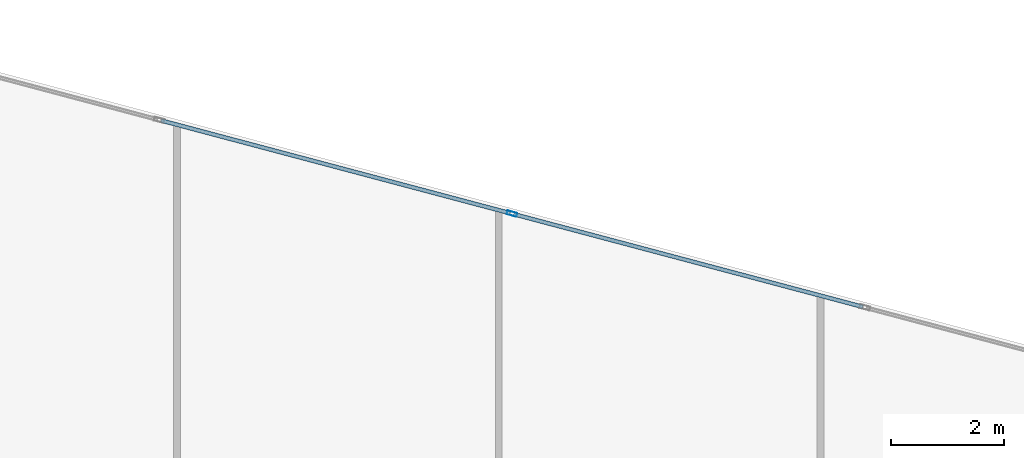
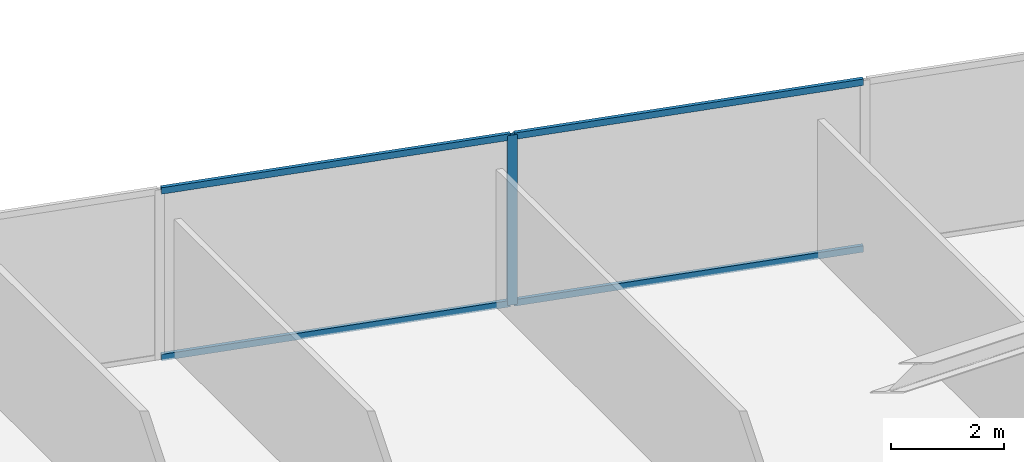
# One storey, part 18 of 27: 5 members, 1 element without a shape of its own.
"""IFC4 building model written with IfcOpenShell, lengths in metres."""

from ifc_helpers import new_model, si_unit, direction, frame, origin, origin_2d, place, context, subcontext, project, spatial, hollow_rectangle, extrude, source, transform, mapped, material, material_profile, profile_set, type_object, type_shapes, element, aggregate, save


model = new_model("IFC4")

# Units and contexts
model_context = context("Model", 3, precision=1e-05, world=origin(), true_north=direction((0.0, 1.0)))
body_context = subcontext(model_context, "Body", "Model", "MODEL_VIEW")
ifc_project = project(units=[si_unit("LENGTHUNIT", "METRE"), si_unit("AREAUNIT", "SQUARE_METRE"), si_unit("VOLUMEUNIT", "CUBIC_METRE"), si_unit("PLANEANGLEUNIT", "RADIAN"), si_unit("MASSUNIT", "GRAM", prefix="KILO")], contexts=[model_context])

# Site, building, storey
site_placement = place(None, origin())
site = spatial("IfcSite", under=ifc_project, at=site_placement, CompositionType="ELEMENT")
building_placement = place(site_placement, origin())
building = spatial("IfcBuilding", under=site, at=building_placement, Name="Krantzveldt Concourse Tower", CompositionType="ELEMENT")
storey_placement = place(building_placement, frame((0.0, 0.0, 105.85009765625)))
storey = spatial("IfcBuildingStorey", under=building, at=storey_placement, Name="L25", CompositionType="ELEMENT", Elevation=105.85009765625)

# Curtain wall, members
ifc_material = material(Name="Anodised aluminium 6063-T6", Category="aluminium")
curtain_wall_type = type_object("IfcCurtainWallType", Name="CW2", PredefinedType="USERDEFINED", material=ifc_material)
curtain_wall_placement = place(storey_placement, origin())
curtain_wall = element("IfcCurtainWall", 1, at=curtain_wall_placement, inside=storey, type_object=curtain_wall_type, Name="CW-L25-F14", ObjectType="UNITISED CURTAIN WALL", PredefinedType="USERDEFINED")
ifc_material_profile_1 = material_profile(ifc_material, hollow_rectangle(XDim=0.070068359375, YDim=0.179931640625, WallThickness=0.0048828125, at=origin_2d()), Name="Anodised aluminium 6063-T6", Category="aluminium")
ifc_profile_set_1 = profile_set([ifc_material_profile_1], Name="Anodised aluminium 6063-T6 - ALU-MULL 180x70x5")
member_type_1 = type_object("IfcMemberType", Name="CW-MUL-180", PredefinedType="MULLION", material=ifc_profile_set_1)
shared_shape_1 = source(origin(), body_context, "Body", "SweptSolid", [
    extrude(hollow_rectangle(XDim=0.070068359375, YDim=0.179931640625, WallThickness=0.0048828125, at=origin_2d()), origin(), (0.0, 0.0, 1.0), 3.669921875),
])
type_shapes(member_type_1, [shared_shape_1])
member_1_placement = place(storey_placement, frame((35.73388671875, 50.888916015625, 0.0), z_axis=(0.0, 0.0, 1.0), x_axis=(-0.256711093648, -0.966488186373, 0.0)))
member_1 = element("IfcMember", 2, at=member_1_placement, type_object=member_type_1, Name="CW-Z12 mullion 5", PredefinedType="MULLION", context=body_context, shape_type="MappedRepresentation", body=[
    mapped(shared_shape_1, transform((0.0, 0.0, 0.0), x_axis=(1.0, 0.0, 0.0), y_axis=(0.0, 1.0, 0.0), z_axis=(0.0, 0.0, 1.0), scale=1.0)),
])
ifc_material_profile_2 = material_profile(ifc_material, hollow_rectangle(XDim=0.070068359375, YDim=0.139892578125, WallThickness=0.0048828125, at=origin_2d()), Name="Anodised aluminium 6063-T6", Category="aluminium")
ifc_profile_set_2 = profile_set([ifc_material_profile_2], Name="Anodised aluminium 6063-T6 - ALU-TRAN 140x70x5")
member_type_2 = type_object("IfcMemberType", Name="CW-TRN-150", PredefinedType="USERDEFINED", material=ifc_profile_set_2)
shared_shape_2 = source(origin(), body_context, "Body", "SweptSolid", [
    extrude(hollow_rectangle(XDim=0.070068359375, YDim=0.139892578125, WallThickness=0.0048828125, at=origin_2d()), origin(), (0.0, 0.0, 1.0), 6.396728515625),
])
type_shapes(member_type_2, [shared_shape_2])
member_2_placement = place(storey_placement, frame((41.9501953125, 49.23779296875, 0.034912109375), z_axis=(-0.966489121884, 0.256707571528, 0.0), x_axis=(-0.256707571528, -0.966489121884, 0.0)))
member_2 = element("IfcMember", 3, at=member_2_placement, type_object=member_type_2, Name="CW-Z12 transom 4.1", ObjectType="TRANSOM", PredefinedType="USERDEFINED", context=body_context, shape_type="MappedRepresentation", body=[
    mapped(shared_shape_2, transform((0.0, 0.0, 0.0), x_axis=(1.0, 0.0, 0.0), y_axis=(0.0, 1.0, 0.0), z_axis=(0.0, 0.0, 1.0), scale=1.0)),
])
member_3_placement = place(storey_placement, frame((41.9501953125, 49.23779296875, 3.635009765625), z_axis=(-0.966489121884, 0.256707571528, 0.0), x_axis=(-0.256707571528, -0.966489121884, 0.0)))
member_3 = element("IfcMember", 4, at=member_3_placement, type_object=member_type_2, Name="CW-Z12 transom 4.2", ObjectType="TRANSOM", PredefinedType="USERDEFINED", context=body_context, shape_type="MappedRepresentation", body=[
    mapped(shared_shape_2, transform((0.0, 0.0, 0.0), x_axis=(1.0, 0.0, 0.0), y_axis=(0.0, 1.0, 0.0), z_axis=(0.0, 0.0, 1.0), scale=1.0)),
])
member_4_placement = place(storey_placement, frame((35.7001953125, 50.89794921875, 0.034912109375), z_axis=(-0.966489121884, 0.256707571528, 0.0), x_axis=(-0.256707571528, -0.966489121884, 0.0)))
member_4 = element("IfcMember", 5, at=member_4_placement, type_object=member_type_2, Name="CW-Z12 transom 5.1", ObjectType="TRANSOM", PredefinedType="USERDEFINED", context=body_context, shape_type="MappedRepresentation", body=[
    mapped(shared_shape_2, transform((0.0, 0.0, 0.0), x_axis=(1.0, 0.0, 0.0), y_axis=(0.0, 1.0, 0.0), z_axis=(0.0, 0.0, 1.0), scale=1.0)),
])
member_5_placement = place(storey_placement, frame((35.7001953125, 50.89794921875, 3.635009765625), z_axis=(-0.966489121884, 0.256707571528, 0.0), x_axis=(-0.256707571528, -0.966489121884, 0.0)))
member_5 = element("IfcMember", 6, at=member_5_placement, type_object=member_type_2, Name="CW-Z12 transom 5.2", ObjectType="TRANSOM", PredefinedType="USERDEFINED", context=body_context, shape_type="MappedRepresentation", body=[
    mapped(shared_shape_2, transform((0.0, 0.0, 0.0), x_axis=(1.0, 0.0, 0.0), y_axis=(0.0, 1.0, 0.0), z_axis=(0.0, 0.0, 1.0), scale=1.0)),
])
aggregate(curtain_wall, [member_1, member_2, member_3, member_4, member_5])

save(model, "model.ifc")
